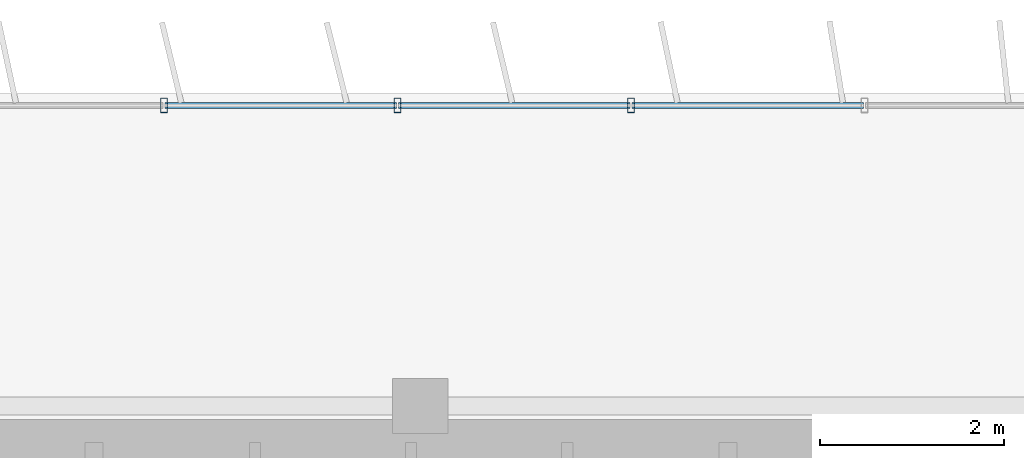
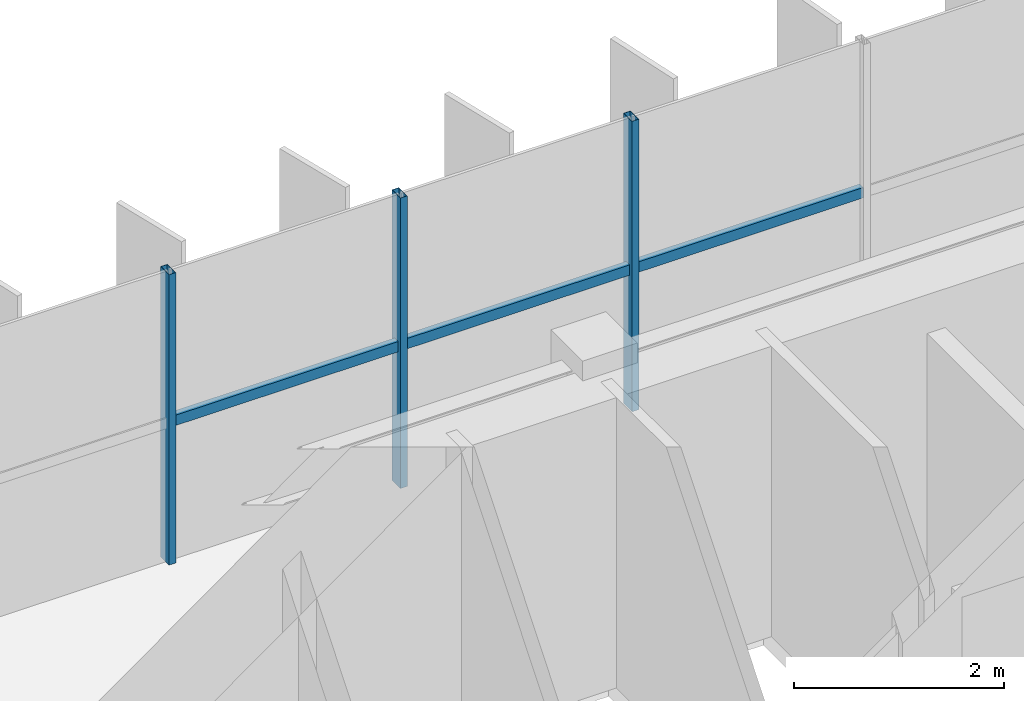
# One storey, part 11 of 21: 6 members, 1 element without a shape of its own.
"""IFC4 building model written with IfcOpenShell, lengths in metres."""

from ifc_helpers import new_model, si_unit, direction, frame, origin, origin_2d, place, context, subcontext, project, spatial, hollow_rectangle, extrude, source, transform, mapped, material, material_profile, profile_set, type_object, element, aggregate, save


model = new_model("IFC4")

# Units and contexts
model_context = context("Model", 3, precision=1e-05, world=origin(), true_north=direction((0.0, 1.0)))
body_context = subcontext(model_context, "Body", "Model", "MODEL_VIEW")
ifc_project = project(units=[si_unit("LENGTHUNIT", "METRE"), si_unit("AREAUNIT", "SQUARE_METRE"), si_unit("VOLUMEUNIT", "CUBIC_METRE"), si_unit("PLANEANGLEUNIT", "RADIAN"), si_unit("MASSUNIT", "GRAM", prefix="KILO")], contexts=[model_context])

# Site, building, storey
site_placement = place(None, origin())
site = spatial("IfcSite", under=ifc_project, at=site_placement, CompositionType="ELEMENT")
building_placement = place(site_placement, origin())
building = spatial("IfcBuilding", under=site, at=building_placement, Name="Trelvane Seafront Commons", CompositionType="ELEMENT")
storey_placement = place(building_placement, frame((0.0, 0.0, 252.300048828125)))
storey = spatial("IfcBuildingStorey", under=building, at=storey_placement, Name="L65", CompositionType="ELEMENT", Elevation=252.300048828125)

# Curtain wall, members
ifc_material = material(Name="Anodised pale-silver aluminium", Category="aluminium")
curtain_wall_type = type_object("IfcCurtainWallType", Name="ARCH-CW5-UPTOWER", PredefinedType="NOTDEFINED", material=ifc_material)
curtain_wall_placement = place(storey_placement, origin())
curtain_wall = element("IfcCurtainWall", 1, at=curtain_wall_placement, inside=storey, type_object=curtain_wall_type, Name="CW-L65-0109", PredefinedType="NOTDEFINED")
ifc_material_profile_1 = material_profile(ifc_material, hollow_rectangle(XDim=0.070068359375, YDim=0.1201171875, WallThickness=0.00390625, at=origin_2d()), Name="TRAN-70x120x4")
ifc_profile_set_1 = profile_set([ifc_material_profile_1], Name="Anodised pale-silver aluminium")
member_type_1 = type_object("IfcMemberType", Name="ARCH-CW-TRAN-120", PredefinedType="USERDEFINED", material=ifc_profile_set_1)
shared_shape_1 = source(origin(), body_context, "Body", "SweptSolid", [
    extrude(hollow_rectangle(XDim=0.070068359375, YDim=0.1201171875, WallThickness=0.00390625, at=origin_2d()), origin(), (0.0, 0.0, 1.0), 2.51708984375),
])
member_1_placement = place(storey_placement, frame((43.56494140625, 48.3701171875, 1.617919921875), z_axis=(1.0, 0.0, 0.0), x_axis=(0.0, 1.0, 0.0)))
member_1 = element("IfcMember", 2, at=member_1_placement, type_object=member_type_1, Name="CW-L65-0109-T11", ObjectType="TRANSOM", PredefinedType="USERDEFINED", context=body_context, shape_type="MappedRepresentation", body=[
    mapped(shared_shape_1, transform((0.0, 0.0, 0.0), x_axis=(1.0, 0.0, 0.0), y_axis=(0.0, 1.0, 0.0), z_axis=(0.0, 0.0, 1.0), scale=1.0)),
])
member_2_placement = place(storey_placement, frame((46.106201171875, 48.3701171875, 1.617919921875), z_axis=(1.0, 0.0, 0.0), x_axis=(0.0, 1.0, 0.0)))
member_2 = element("IfcMember", 3, at=member_2_placement, type_object=member_type_1, Name="CW-L65-0109-T12", ObjectType="TRANSOM", PredefinedType="USERDEFINED", context=body_context, shape_type="MappedRepresentation", body=[
    mapped(shared_shape_1, transform((0.0, 0.0, 0.0), x_axis=(1.0, 0.0, 0.0), y_axis=(0.0, 1.0, 0.0), z_axis=(0.0, 0.0, 1.0), scale=1.0)),
])
shared_shape_2 = source(origin(), body_context, "Body", "SweptSolid", [
    extrude(hollow_rectangle(XDim=0.070068359375, YDim=0.1201171875, WallThickness=0.00390625, at=origin_2d()), origin(), (0.0, 0.0, 1.0), 2.517333984375),
])
member_3_placement = place(storey_placement, frame((41.023681640625, 48.3701171875, 1.617919921875), z_axis=(1.0, 0.0, 0.0), x_axis=(0.0, 1.0, 0.0)))
member_3 = element("IfcMember", 4, at=member_3_placement, type_object=member_type_1, Name="CW-L65-0109-T10", ObjectType="TRANSOM", PredefinedType="USERDEFINED", context=body_context, shape_type="MappedRepresentation", body=[
    mapped(shared_shape_2, transform((0.0, 0.0, 0.0), x_axis=(1.0, 0.0, 0.0), y_axis=(0.0, 1.0, 0.0), z_axis=(0.0, 0.0, 1.0), scale=1.0)),
])
ifc_material_profile_2 = material_profile(ifc_material, hollow_rectangle(XDim=0.074951171875, YDim=0.159912109375, WallThickness=0.00390625, at=origin_2d()), Name="MULL-75x160x4")
ifc_profile_set_2 = profile_set([ifc_material_profile_2], Name="Anodised pale-silver aluminium")
member_type_2 = type_object("IfcMemberType", Name="ARCH-CW-MULL-160", PredefinedType="MULLION", material=ifc_profile_set_2)
shared_shape_3 = source(origin(), body_context, "Body", "SweptSolid", [
    extrude(hollow_rectangle(XDim=0.074951171875, YDim=0.159912109375, WallThickness=0.00390625, at=origin_2d()), origin(), (0.0, 0.0, 1.0), 3.369873046875),
])
member_4_placement = place(storey_placement, frame((41.01171875, 48.3701171875, 0.0), z_axis=(0.0, 0.0, 1.0), x_axis=(1.0, 0.0, 0.0)))
member_4 = element("IfcMember", 5, at=member_4_placement, type_object=member_type_2, Name="CW-L65-0109-M10", PredefinedType="MULLION", context=body_context, shape_type="MappedRepresentation", body=[
    mapped(shared_shape_3, transform((0.0, 0.0, 0.0), x_axis=(1.0, 0.0, 0.0), y_axis=(0.0, 1.0, 0.0), z_axis=(0.0, 0.0, 1.0), scale=1.0)),
])
member_5_placement = place(storey_placement, frame((43.552978515625, 48.3701171875, 0.0), z_axis=(0.0, 0.0, 1.0), x_axis=(1.0, 0.0, 0.0)))
member_5 = element("IfcMember", 6, at=member_5_placement, type_object=member_type_2, Name="CW-L65-0109-M11", PredefinedType="MULLION", context=body_context, shape_type="MappedRepresentation", body=[
    mapped(shared_shape_3, transform((0.0, 0.0, 0.0), x_axis=(1.0, 0.0, 0.0), y_axis=(0.0, 1.0, 0.0), z_axis=(0.0, 0.0, 1.0), scale=1.0)),
])
member_6_placement = place(storey_placement, frame((46.093994140625, 48.3701171875, 0.0), z_axis=(0.0, 0.0, 1.0), x_axis=(1.0, 0.0, 0.0)))
member_6 = element("IfcMember", 7, at=member_6_placement, type_object=member_type_2, Name="CW-L65-0109-M12", PredefinedType="MULLION", context=body_context, shape_type="MappedRepresentation", body=[
    mapped(shared_shape_3, transform((0.0, 0.0, 0.0), x_axis=(1.0, 0.0, 0.0), y_axis=(0.0, 1.0, 0.0), z_axis=(0.0, 0.0, 1.0), scale=1.0)),
])
aggregate(curtain_wall, [member_4, member_5, member_6, member_3, member_1, member_2])

save(model, "model.ifc")
